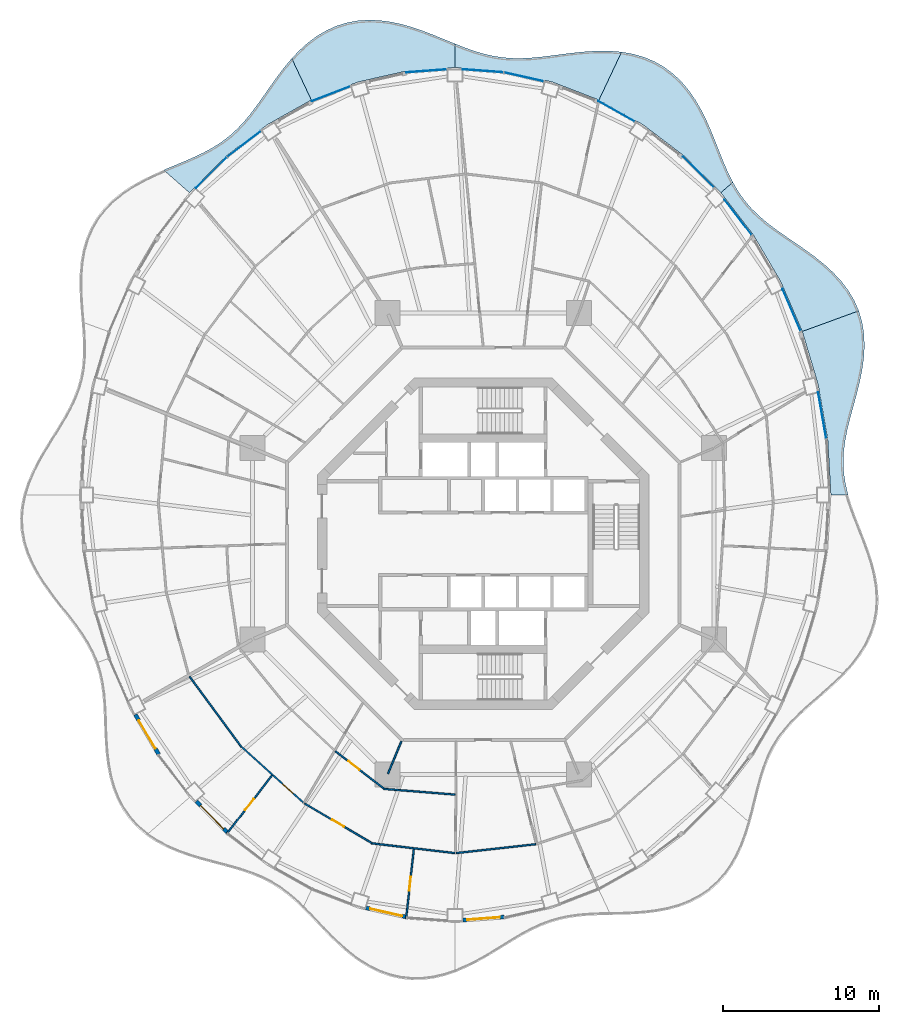
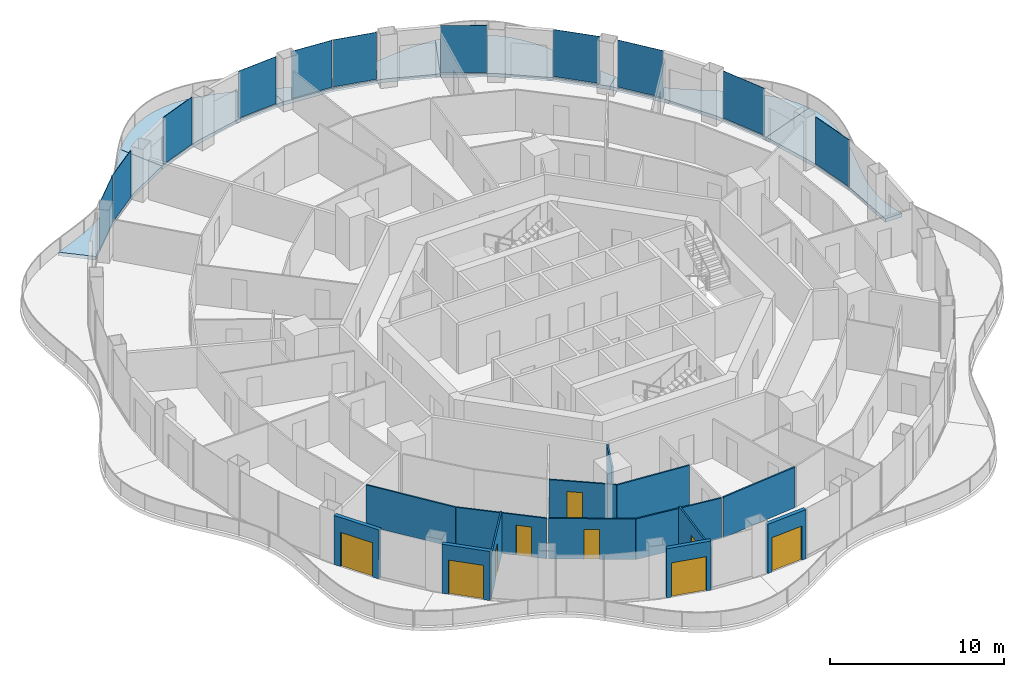
# One storey, part 9 of 18: 14 walls, 11 plates, 9 doors, 6 slabs, 9 openings, 11 elements without a shape of their own.
"""IFC4 building model written with IfcOpenShell, lengths in metres."""

from ifc_helpers import new_model, si_unit, direction, frame, frame_2d, origin, origin_2d, place, context, subcontext, project, spatial, polyline, rectangle, outline, extrude, material, layer, layer_set, type_object, element, fill, aggregate, save


model = new_model("IFC4")

# Units and contexts
model_context = context("Model", 3, precision=1e-05, world=origin(), true_north=direction((0.0, 1.0)))
body_context = subcontext(model_context, "Body", "Model", "MODEL_VIEW")
ifc_project = project(units=[si_unit("LENGTHUNIT", "METRE"), si_unit("AREAUNIT", "SQUARE_METRE"), si_unit("VOLUMEUNIT", "CUBIC_METRE"), si_unit("PLANEANGLEUNIT", "RADIAN"), si_unit("MASSUNIT", "GRAM", prefix="KILO")], contexts=[model_context])

# Site, building, storey
site_placement = place(None, origin())
site = spatial("IfcSite", under=ifc_project, at=site_placement, CompositionType="ELEMENT")
building_placement = place(site_placement, origin())
building = spatial("IfcBuilding", under=site, at=building_placement, Name="Nagisa Residences", CompositionType="ELEMENT")
storey_placement = place(building_placement, frame((0.0, 0.0, 227.0)))
storey = spatial("IfcBuildingStorey", under=building, at=storey_placement, Name="L57", CompositionType="ELEMENT", Elevation=227.0)

# Slabs
ifc_material_1 = material(Name="Concrete C40/50", Category="concrete")
ifc_layer_1 = layer(ifc_material_1, 0.25)
ifc_layer_set_1 = layer_set([ifc_layer_1], Name="BALCONY SLAB 250")
slab_type = type_object("IfcSlabType", Name="BALCONY SLAB 250", PredefinedType="FLOOR", material=ifc_layer_set_1)
slab_1_placement = place(storey_placement, frame((0.0, 0.0, -0.25)))
element("IfcSlab", 1, at=slab_1_placement, inside=storey, type_object=slab_type, Name="slab:L57:bal00", PredefinedType="FLOOR", context=body_context, shape_type="SweptSolid", body=[
    extrude(outline(polyline([(23.37646484375, 3.11767578125), (23.208740234375, 3.806396484375), (23.1025390625, 4.490966796875), (23.062255859375, 5.1767578125), (23.088134765625, 5.868408203125), (23.17529296875, 6.5703125), (23.314697265625, 7.2861328125), (23.493408203125, 8.01806640625), (23.696044921875, 8.7666015625), (23.904052734375, 9.53125), (24.098876953125, 10.30859375), (24.261474609375, 11.094482421875), (24.373779296875, 11.883056640625), (24.420166015625, 12.6669921875), (24.3876953125, 13.43896484375), (24.267822265625, 14.191162109375), (24.0556640625, 14.916259765625), (20.437744140625, 13.599365234375), (21.449951171875, 10.206787109375), (22.06396484375, 6.69287109375), (22.27001953125, 3.11767578125), (23.37646484375, 3.11767578125)])), origin(), (0.0, 0.0, 1.0), 0.25),
])
slab_2_placement = place(storey_placement, frame((0.0, 0.0, -0.25)))
element("IfcSlab", 2, at=slab_2_placement, inside=storey, type_object=slab_type, Name="slab:L57:bal01", PredefinedType="FLOOR", context=body_context, shape_type="SweptSolid", body=[
    extrude(outline(polyline([(24.0556640625, 14.916259765625), (23.76123046875, 15.58740234375), (23.383544921875, 16.22314453125), (22.929931640625, 16.820556640625), (22.41064453125, 17.379638671875), (21.838623046875, 17.9013671875), (21.229248046875, 18.3896484375), (20.597900390625, 18.85009765625), (19.9609375, 19.2900390625), (19.333251953125, 19.718505859375), (18.728759765625, 20.14501953125), (18.158203125, 20.57958984375), (17.6298828125, 21.031494140625), (17.14892578125, 21.509521484375), (16.716796875, 22.020751953125), (16.3310546875, 22.56982421875), (15.98681640625, 23.1591796875), (15.219970703125, 22.4853515625), (17.2958984375, 19.791748046875), (19.045166015625, 16.812744140625), (20.437744140625, 13.599365234375), (24.0556640625, 14.916259765625)])), origin(), (0.0, 0.0, 1.0), 0.25),
])
slab_3_placement = place(storey_placement, frame((0.0, 0.0, -0.25)))
element("IfcSlab", 3, at=slab_3_placement, inside=storey, type_object=slab_type, Name="slab:L57:bal02", PredefinedType="FLOOR", context=body_context, shape_type="SweptSolid", body=[
    extrude(outline(polyline([(15.98681640625, 23.1591796875), (15.689453125, 23.7578125), (15.4130859375, 24.3896484375), (15.147216796875, 25.049072265625), (14.88037109375, 25.728515625), (14.601318359375, 26.418212890625), (14.29931640625, 27.10693359375), (13.964599609375, 27.7822265625), (13.588623046875, 28.431396484375), (13.165771484375, 29.0419921875), (12.692138671875, 29.602294921875), (12.166015625, 30.10205078125), (11.588623046875, 30.533203125), (10.96337890625, 30.889892578125), (10.295654296875, 31.16943359375), (9.5927734375, 31.3720703125), (8.8623046875, 31.50146484375), (7.4111328125, 28.4228515625), (10.235107421875, 26.838134765625), (12.852783203125, 24.84765625), (15.219970703125, 22.4853515625), (15.98681640625, 23.1591796875)])), origin(), (0.0, 0.0, 1.0), 0.25),
])
slab_4_placement = place(storey_placement, frame((0.0, 0.0, -0.25)))
element("IfcSlab", 4, at=slab_4_placement, inside=storey, type_object=slab_type, Name="slab:L57:bal03", PredefinedType="FLOOR", context=body_context, shape_type="SweptSolid", body=[
    extrude(outline(polyline([(8.8623046875, 31.50146484375), (8.140869140625, 31.562744140625), (7.410400390625, 31.5703125), (6.67822265625, 31.534423828125), (5.951171875, 31.466552734375), (5.23486328125, 31.3798828125), (4.53369140625, 31.287353515625), (3.85009765625, 31.201904296875), (3.184814453125, 31.135498046875), (2.537109375, 31.098388671875), (1.905029296875, 31.09912109375), (1.284912109375, 31.1435546875), (0.67236328125, 31.234375), (0.0625, 31.371826171875), (-0.5498046875, 31.552734375), (-1.169189453125, 31.771484375), (-1.800048828125, 32.018798828125), (-1.800048828125, 30.5078125), (1.341796875, 30.2734375), (4.4296875, 29.574462890625), (7.4111328125, 28.4228515625), (8.8623046875, 31.50146484375)])), origin(), (0.0, 0.0, 1.0), 0.25),
])
slab_5_placement = place(storey_placement, frame((0.0, 0.0, -0.25)))
element("IfcSlab", 5, at=slab_5_placement, inside=storey, type_object=slab_type, Name="slab:L57:bal04", PredefinedType="FLOOR", context=body_context, shape_type="SweptSolid", body=[
    extrude(outline(polyline([(-1.800048828125, 32.018798828125), (-2.4453125, 32.28466796875), (-3.106689453125, 32.555908203125), (-3.784912109375, 32.819580078125), (-4.478515625, 33.06103515625), (-5.184814453125, 33.266845703125), (-5.89990234375, 33.42431640625), (-6.618408203125, 33.521728515625), (-7.33447265625, 33.550048828125), (-8.041015625, 33.5029296875), (-8.731689453125, 33.375732421875), (-9.400390625, 33.168212890625), (-10.041259765625, 32.882080078125), (-10.650390625, 32.5224609375), (-11.224853515625, 32.096435546875), (-11.763427734375, 31.6142578125), (-12.266845703125, 31.0869140625), (-11.01123046875, 28.4228515625), (-8.02978515625, 29.574462890625), (-4.941650390625, 30.2734375), (-1.800048828125, 30.5078125), (-1.800048828125, 32.018798828125)])), origin(), (0.0, 0.0, 1.0), 0.25),
])
slab_6_placement = place(storey_placement, frame((0.0, 0.0, -0.25)))
element("IfcSlab", 6, at=slab_6_placement, inside=storey, type_object=slab_type, Name="slab:L57:bal05", PredefinedType="FLOOR", context=body_context, shape_type="SweptSolid", body=[
    extrude(outline(polyline([(-12.266845703125, 31.0869140625), (-12.7548828125, 30.50537109375), (-13.212646484375, 29.9033203125), (-13.646728515625, 29.294921875), (-14.065185546875, 28.69384765625), (-14.47705078125, 28.112060546875), (-14.8916015625, 27.559326171875), (-15.318115234375, 27.04345703125), (-15.76513671875, 26.56884765625), (-16.239501953125, 26.13720703125), (-16.746826171875, 25.74755859375), (-17.289794921875, 25.396240234375), (-17.869384765625, 25.076904296875), (-18.483642578125, 24.781494140625), (-19.127685546875, 24.50048828125), (-19.794677734375, 24.2236328125), (-20.475341796875, 23.93994140625), (-18.820068359375, 22.4853515625), (-16.452880859375, 24.84765625), (-13.8349609375, 26.838134765625), (-11.01123046875, 28.4228515625), (-12.266845703125, 31.0869140625)])), origin(), (0.0, 0.0, 1.0), 0.25),
])

# Curtain wall, plate
ifc_material_2 = material(Name="Concrete-coloured aluminium curtain wall system", Category="concrete")
ifc_layer_2 = layer(ifc_material_2, 0.159912109375)
ifc_layer_set_2 = layer_set([ifc_layer_2], Name="CW1 CURTAIN WALL")
curtain_wall_type = type_object("IfcCurtainWallType", Name="CW1 CURTAIN WALL", PredefinedType="NOTDEFINED", material=ifc_layer_set_2)
curtain_wall_1_placement = place(storey_placement, origin())
curtain_wall_1 = element("IfcCurtainWall", 7, at=curtain_wall_1_placement, inside=storey, type_object=curtain_wall_type, Name="cw:CW1:L57:01", PredefinedType="NOTDEFINED")
ifc_material_3 = material(Name="Clear laminated glass", Category="glass")
ifc_layer_3 = layer(ifc_material_3, 0.028076171875)
ifc_layer_set_3 = layer_set([ifc_layer_3], Name="CW1 GLASS PANEL")
plate_type = type_object("IfcPlateType", Name="CW1 GLASS PANEL", PredefinedType="CURTAIN_PANEL", material=ifc_layer_set_3)
plate_1_placement = place(storey_placement, frame((21.716064453125, 8.21923828125, 0.14990234375), z_axis=(0.0, 0.0, 1.0), x_axis=(-0.172190868898, 0.985063604377, 0.0)))
plate_1 = element("IfcPlate", 8, at=plate_1_placement, type_object=plate_type, Name="CW1 panel", PredefinedType="CURTAIN_PANEL", context=body_context, shape_type="SweptSolid", body=[
    extrude(rectangle(XDim=3.00732421875, YDim=0.028076171875, at=origin_2d()), origin(), (0.0, 0.0, 1.0), 3.2900390625),
])
aggregate(curtain_wall_1, [plate_1])

curtain_wall_2_placement = place(storey_placement, origin())
curtain_wall_2 = element("IfcCurtainWall", 9, at=curtain_wall_2_placement, inside=storey, type_object=curtain_wall_type, Name="cw:CW1:L57:03", PredefinedType="NOTDEFINED")
plate_2_placement = place(storey_placement, frame((19.755615234375, 14.972412109375, 0.14990234375), z_axis=(0.0, 0.0, 1.0), x_axis=(-0.397635934147, 0.917543276295, 0.0)))
plate_2 = element("IfcPlate", 10, at=plate_2_placement, type_object=plate_type, Name="CW1 panel", PredefinedType="CURTAIN_PANEL", context=body_context, shape_type="SweptSolid", body=[
    extrude(rectangle(XDim=2.942138671875, YDim=0.028076171875, at=origin_2d()), origin(), (0.0, 0.0, 1.0), 3.2900390625),
])
aggregate(curtain_wall_2, [plate_2])

curtain_wall_3_placement = place(storey_placement, origin())
curtain_wall_3 = element("IfcCurtainWall", 11, at=curtain_wall_3_placement, inside=storey, type_object=curtain_wall_type, Name="cw:CW1:L57:05", PredefinedType="NOTDEFINED")
plate_3_placement = place(storey_placement, frame((16.328857421875, 20.91552734375, 0.14990234375), z_axis=(0.0, 0.0, 1.0), x_axis=(-0.610429828235, 0.792070340816, 0.0)))
plate_3 = element("IfcPlate", 12, at=plate_3_placement, type_object=plate_type, Name="CW1 panel", PredefinedType="CURTAIN_PANEL", context=body_context, shape_type="SweptSolid", body=[
    extrude(rectangle(XDim=2.8408203125, YDim=0.028076171875, at=origin_2d()), origin(), (0.0, 0.0, 1.0), 3.2900390625),
])
aggregate(curtain_wall_3, [plate_3])

curtain_wall_4_placement = place(storey_placement, origin())
curtain_wall_4 = element("IfcCurtainWall", 13, at=curtain_wall_4_placement, inside=storey, type_object=curtain_wall_type, Name="cw:CW1:L57:06", PredefinedType="NOTDEFINED")
plate_4_placement = place(storey_placement, frame((13.78173828125, 23.8076171875, 0.14990234375), z_axis=(0.0, 0.0, 1.0), x_axis=(-0.707835924016, 0.706376885714, 0.0)))
plate_4 = element("IfcPlate", 14, at=plate_4_placement, type_object=plate_type, Name="CW1 panel", PredefinedType="CURTAIN_PANEL", context=body_context, shape_type="SweptSolid", body=[
    extrude(rectangle(XDim=2.7841796875, YDim=0.028076171875, at=origin_2d()), origin(), (0.0, 0.0, 1.0), 3.2900390625),
])
aggregate(curtain_wall_4, [plate_4])

curtain_wall_5_placement = place(storey_placement, origin())
curtain_wall_5 = element("IfcCurtainWall", 15, at=curtain_wall_5_placement, inside=storey, type_object=curtain_wall_type, Name="cw:CW1:L57:08", PredefinedType="NOTDEFINED")
plate_5_placement = place(storey_placement, frame((8.539794921875, 27.69775390625, 0.14990234375), z_axis=(0.0, 0.0, 1.0), x_axis=(-0.872072377523, 0.489376918501, 0.0)))
plate_5 = element("IfcPlate", 16, at=plate_5_placement, type_object=plate_type, Name="CW1 panel", PredefinedType="CURTAIN_PANEL", context=body_context, shape_type="SweptSolid", body=[
    extrude(rectangle(XDim=2.677978515625, YDim=0.028076171875, at=origin_2d()), origin(), (0.0, 0.0, 1.0), 3.2900390625),
])
aggregate(curtain_wall_5, [plate_5])

curtain_wall_6_placement = place(storey_placement, origin())
curtain_wall_6 = element("IfcCurtainWall", 17, at=curtain_wall_6_placement, inside=storey, type_object=curtain_wall_type, Name="cw:CW1:L57:10", PredefinedType="NOTDEFINED")
plate_6_placement = place(storey_placement, frame((2.594970703125, 29.90771484375, 0.14990234375), z_axis=(0.0, 0.0, 1.0), x_axis=(-0.975327274089, 0.2207639201, 0.0)))
plate_6 = element("IfcPlate", 18, at=plate_6_placement, type_object=plate_type, Name="CW1 panel", PredefinedType="CURTAIN_PANEL", context=body_context, shape_type="SweptSolid", body=[
    extrude(rectangle(XDim=2.606201171875, YDim=0.028076171875, at=origin_2d()), origin(), (0.0, 0.0, 1.0), 3.2900390625),
])
aggregate(curtain_wall_6, [plate_6])

curtain_wall_7_placement = place(storey_placement, origin())
curtain_wall_7 = element("IfcCurtainWall", 19, at=curtain_wall_7_placement, inside=storey, type_object=curtain_wall_type, Name="cw:CW1:L57:11", PredefinedType="NOTDEFINED")
plate_7_placement = place(storey_placement, frame((-0.015625, 30.29443359375, 0.14990234375), z_axis=(0.0, 0.0, 1.0), x_axis=(-0.997230168512, 0.074377355493, 0.0)))
plate_7 = element("IfcPlate", 20, at=plate_7_placement, type_object=plate_type, Name="CW1 panel", PredefinedType="CURTAIN_PANEL", context=body_context, shape_type="SweptSolid", body=[
    extrude(rectangle(XDim=2.590576171875, YDim=0.028076171875, at=origin_2d()), origin(), (0.0, 0.0, 1.0), 3.2900390625),
])
aggregate(curtain_wall_7, [plate_7])

curtain_wall_8_placement = place(storey_placement, origin())
curtain_wall_8 = element("IfcCurtainWall", 21, at=curtain_wall_8_placement, inside=storey, type_object=curtain_wall_type, Name="cw:CW1:L57:12", PredefinedType="NOTDEFINED")
plate_8_placement = place(storey_placement, frame((-3.64404296875, 30.2900390625, 0.14990234375), z_axis=(0.0, 0.0, 1.0), x_axis=(-0.997230168512, -0.074377355493, 0.0)))
plate_8 = element("IfcPlate", 22, at=plate_8_placement, type_object=plate_type, Name="CW1 panel", PredefinedType="CURTAIN_PANEL", context=body_context, shape_type="SweptSolid", body=[
    extrude(rectangle(XDim=2.590576171875, YDim=0.028076171875, at=origin_2d()), origin(), (0.0, 0.0, 1.0), 3.2900390625),
])
aggregate(curtain_wall_8, [plate_8])

curtain_wall_9_placement = place(storey_placement, origin())
curtain_wall_9 = element("IfcCurtainWall", 23, at=curtain_wall_9_placement, inside=storey, type_object=curtain_wall_type, Name="cw:CW1:L57:14", PredefinedType="NOTDEFINED")
plate_9_placement = place(storey_placement, frame((-9.7529296875, 28.822998046875, 0.14990234375), z_axis=(0.0, 0.0, 1.0), x_axis=(-0.932825759707, -0.360327770268, 0.0)))
plate_9 = element("IfcPlate", 24, at=plate_9_placement, type_object=plate_type, Name="CW1 panel", PredefinedType="CURTAIN_PANEL", context=body_context, shape_type="SweptSolid", body=[
    extrude(rectangle(XDim=2.63623046875, YDim=0.028076171875, at=origin_2d()), origin(), (0.0, 0.0, 1.0), 3.2900390625),
])
aggregate(curtain_wall_9, [plate_9])

curtain_wall_10_placement = place(storey_placement, origin())
curtain_wall_10 = element("IfcCurtainWall", 25, at=curtain_wall_10_placement, inside=storey, type_object=curtain_wall_type, Name="cw:CW1:L57:16", PredefinedType="NOTDEFINED")
plate_10_placement = place(storey_placement, frame((-15.318359375, 25.609619140625, 0.14990234375), z_axis=(0.0, 0.0, 1.0), x_axis=(-0.79603132756, -0.605255421737, 0.0)))
plate_10 = element("IfcPlate", 26, at=plate_10_placement, type_object=plate_type, Name="CW1 panel", PredefinedType="CURTAIN_PANEL", context=body_context, shape_type="SweptSolid", body=[
    extrude(rectangle(XDim=2.728759765625, YDim=0.028076171875, at=origin_2d()), origin(), (0.0, 0.0, 1.0), 3.2900390625),
])
aggregate(curtain_wall_10, [plate_10])

curtain_wall_11_placement = place(storey_placement, origin())
curtain_wall_11 = element("IfcCurtainWall", 27, at=curtain_wall_11_placement, inside=storey, type_object=curtain_wall_type, Name="cw:CW1:L57:17", PredefinedType="NOTDEFINED")
plate_11_placement = place(storey_placement, frame((-17.42431640625, 23.765380859375, 0.14990234375), z_axis=(0.0, 0.0, 1.0), x_axis=(-0.707835924016, -0.706376885714, 0.0)))
plate_11 = element("IfcPlate", 28, at=plate_11_placement, type_object=plate_type, Name="CW1 panel", PredefinedType="CURTAIN_PANEL", context=body_context, shape_type="SweptSolid", body=[
    extrude(rectangle(XDim=2.7841796875, YDim=0.028076171875, at=origin_2d()), origin(), (0.0, 0.0, 1.0), 3.2900390625),
])
aggregate(curtain_wall_11, [plate_11])

# Wall
ifc_material_4 = material(Name="Gypsum board on steel studs", Category="steel")
ifc_layer_4 = layer(ifc_material_4, 0.10009765625)
ifc_layer_set_4 = layer_set([ifc_layer_4], Name="Apartment partition 100")
wall_type_1 = type_object("IfcWallType", Name="Apartment partition 100", PredefinedType="PARTITIONING", material=ifc_layer_set_4)
wall_1_placement = place(storey_placement, frame((-18.804443359375, -8.515625, 0.0), z_axis=(0.0, 0.0, 1.0), x_axis=(0.593249583583, -0.805018590828, 0.0)))
element("IfcWall", 29, at=wall_1_placement, inside=storey, type_object=wall_type_1, Name="wall:L57:u63", PredefinedType="PARTITIONING", context=body_context, shape_type="SweptSolid", body=[
    extrude(rectangle(XDim=5.601806640625, YDim=0.10009765625, at=frame_2d((2.80078125, 0.0))), origin(), (0.0, 0.0, 1.0), 2.8369140625),
])

# Wall, opening, door
wall_2_placement = place(storey_placement, frame((-15.4736328125, -13.0185546875, 0.0), z_axis=(0.0, 0.0, 1.0), x_axis=(0.742348572616, -0.670013878017, 0.0)))
wall_2 = element("IfcWall", 30, at=wall_2_placement, inside=storey, type_object=wall_type_1, Name="wall:L57:u65", PredefinedType="PARTITIONING", context=body_context, shape_type="SweptSolid", body=[
    extrude(rectangle(XDim=5.3193359375, YDim=0.10009765625, at=frame_2d((2.65966796875, 0.0))), origin(), (0.0, 0.0, 1.0), 2.8369140625),
])
opening_1_placement = place(wall_2_placement, frame((3.53955078125, 0.0, 0.0)))
opening_1 = element("IfcOpeningElement", 31, at=opening_1_placement, cuts=wall_2, Name="Opening L57-U25", PredefinedType="OPENING", context=body_context, shape_type="SweptSolid", body=[
    extrude(rectangle(XDim=0.89990234375, YDim=2.10009765625, at=frame_2d((0.449951171875, 1.050048828125))), frame((0.0, 0.06005859375, 0.0), z_axis=(0.0, -1.0, 0.0), x_axis=(1.0, 0.0, 0.0)), (0.0, 0.0, 1.0), 0.1201171875),
])
ifc_material_5 = material(Name="Timber door set", Category="wood")
door_type_1 = type_object("IfcDoorType", Name="Apartment door 900x2100", OperationType="NOTDEFINED", PredefinedType="DOOR", material=ifc_material_5)
door_1_placement = place(opening_1_placement, origin())
door_1 = element("IfcDoor", 32, at=door_1_placement, inside=storey, type_object=door_type_1, Name="Door to dining room, Apartment 57C", OperationType="SINGLE_SWING_LEFT", OverallHeight=2.10009765625, OverallWidth=0.89990234375, PredefinedType="DOOR", context=body_context, shape_type="SweptSolid", body=[
    extrude(rectangle(XDim=0.89990234375, YDim=2.10009765625, at=frame_2d((0.449951171875, 1.050048828125))), frame((0.0, 0.02490234375, 0.0), z_axis=(0.0, -1.0, 0.0), x_axis=(1.0, 0.0, 0.0)), (0.0, 0.0, 1.0), 0.050048828125),
])
fill(opening_1, door_1)

wall_3_placement = place(storey_placement, frame((-13.52978515625, -14.840087890625, 0.0), z_axis=(0.0, 0.0, 1.0), x_axis=(-0.612546685222, -0.790434411209, 0.0)))
wall_3 = element("IfcWall", 33, at=wall_3_placement, inside=storey, type_object=wall_type_1, Name="wall:L57:u66", PredefinedType="PARTITIONING", context=body_context, shape_type="SweptSolid", body=[
    extrude(rectangle(XDim=4.732177734375, YDim=0.10009765625, at=frame_2d((2.3662109375, 0.0))), origin(), (0.0, 0.0, 1.0), 2.98291015625),
])
opening_2_placement = place(wall_3_placement, frame((1.916015625, 0.0, 0.0)))
opening_2 = element("IfcOpeningElement", 34, at=opening_2_placement, cuts=wall_3, Name="Opening L57-U28", PredefinedType="OPENING", context=body_context, shape_type="SweptSolid", body=[
    extrude(rectangle(XDim=0.89990234375, YDim=2.10009765625, at=frame_2d((0.449951171875, 1.050048828125))), frame((0.0, 0.06005859375, 0.0), z_axis=(0.0, -1.0, 0.0), x_axis=(1.0, 0.0, 0.0)), (0.0, 0.0, 1.0), 0.1201171875),
])
door_2_placement = place(opening_2_placement, frame((0.89990234375, 0.0, 0.0), x_axis=(-1.0, 0.0, 0.0)))
door_2 = element("IfcDoor", 35, at=door_2_placement, inside=storey, type_object=door_type_1, Name="Door to master bedroom, Apartment 57C", OperationType="SINGLE_SWING_LEFT", OverallHeight=2.10009765625, OverallWidth=0.89990234375, PredefinedType="DOOR", context=body_context, shape_type="SweptSolid", body=[
    extrude(rectangle(XDim=0.89990234375, YDim=2.10009765625, at=frame_2d((0.449951171875, 1.050048828125))), frame((0.0, 0.02490234375, 0.0), z_axis=(0.0, -1.0, 0.0), x_axis=(1.0, 0.0, 0.0)), (0.0, 0.0, 1.0), 0.050048828125),
])
fill(opening_2, door_2)

wall_4_placement = place(storey_placement, frame((-9.471435546875, -13.289306640625, 0.0), z_axis=(0.0, 0.0, 1.0), x_axis=(0.7922205419, -0.61023488346, 0.0)))
wall_4 = element("IfcWall", 36, at=wall_4_placement, inside=storey, type_object=wall_type_1, Name="wall:L57:u68", PredefinedType="PARTITIONING", context=body_context, shape_type="SweptSolid", body=[
    extrude(rectangle(XDim=3.916015625, YDim=0.10009765625, at=frame_2d((1.9580078125, 0.0))), origin(), (0.0, 0.0, 1.0), 2.8369140625),
])
opening_3_placement = place(wall_4_placement, frame((1.044921875, 0.0, 0.0)))
opening_3 = element("IfcOpeningElement", 37, at=opening_3_placement, cuts=wall_4, Name="Opening L57-U24", PredefinedType="OPENING", context=body_context, shape_type="SweptSolid", body=[
    extrude(rectangle(XDim=0.89990234375, YDim=2.10009765625, at=frame_2d((0.449951171875, 1.050048828125))), frame((0.0, 0.06005859375, 0.0), z_axis=(0.0, -1.0, 0.0), x_axis=(1.0, 0.0, 0.0)), (0.0, 0.0, 1.0), 0.1201171875),
])
door_3_placement = place(opening_3_placement, origin())
door_3 = element("IfcDoor", 38, at=door_3_placement, inside=storey, type_object=door_type_1, Name="Door to laundry, Apartment 57C", OperationType="SINGLE_SWING_RIGHT", OverallHeight=2.10009765625, OverallWidth=0.89990234375, PredefinedType="DOOR", context=body_context, shape_type="SweptSolid", body=[
    extrude(rectangle(XDim=0.89990234375, YDim=2.10009765625, at=frame_2d((0.449951171875, 1.050048828125))), frame((0.0, 0.02490234375, 0.0), z_axis=(0.0, -1.0, 0.0), x_axis=(1.0, 0.0, 0.0)), (0.0, 0.0, 1.0), 0.050048828125),
])
fill(opening_3, door_3)

wall_5_placement = place(storey_placement, frame((-11.444580078125, -16.641357421875, 0.0), z_axis=(0.0, 0.0, 1.0), x_axis=(0.861562560957, -0.507651409489, 0.0)))
wall_5 = element("IfcWall", 39, at=wall_5_placement, inside=storey, type_object=wall_type_1, Name="wall:L57:u69", PredefinedType="PARTITIONING", context=body_context, shape_type="SweptSolid", body=[
    extrude(rectangle(XDim=4.98486328125, YDim=0.10009765625, at=frame_2d((2.492431640625, 0.0))), origin(), (0.0, 0.0, 1.0), 2.8369140625),
])
opening_4_placement = place(wall_5_placement, frame((2.04248046875, 0.0, 0.0)))
opening_4 = element("IfcOpeningElement", 40, at=opening_4_placement, cuts=wall_5, Name="Opening L57-U20", PredefinedType="OPENING", context=body_context, shape_type="SweptSolid", body=[
    extrude(rectangle(XDim=0.89990234375, YDim=2.10009765625, at=frame_2d((0.449951171875, 1.050048828125))), frame((0.0, 0.06005859375, 0.0), z_axis=(0.0, -1.0, 0.0), x_axis=(1.0, 0.0, 0.0)), (0.0, 0.0, 1.0), 0.1201171875),
])
door_4_placement = place(opening_4_placement, frame((0.89990234375, 0.0, 0.0), x_axis=(-1.0, 0.0, 0.0)))
door_4 = element("IfcDoor", 41, at=door_4_placement, inside=storey, type_object=door_type_1, Name="Door to living room, Apartment 57C", OperationType="SINGLE_SWING_LEFT", OverallHeight=2.10009765625, OverallWidth=0.89990234375, PredefinedType="DOOR", context=body_context, shape_type="SweptSolid", body=[
    extrude(rectangle(XDim=0.89990234375, YDim=2.10009765625, at=frame_2d((0.449951171875, 1.050048828125))), frame((0.0, 0.02490234375, 0.0), z_axis=(0.0, -1.0, 0.0), x_axis=(1.0, 0.0, 0.0)), (0.0, 0.0, 1.0), 0.050048828125),
])
fill(opening_4, door_4)

# Walls
wall_6_placement = place(storey_placement, frame((-5.24267578125, -12.6572265625, 0.0), z_axis=(0.0, 0.0, 1.0), x_axis=(-0.382719158442, -0.923864733477, 0.0)))
element("IfcWall", 42, at=wall_6_placement, inside=storey, type_object=wall_type_1, Name="wall:L57:u70", PredefinedType="PARTITIONING", context=body_context, shape_type="SweptSolid", body=[
    extrude(rectangle(XDim=2.25, YDim=0.10009765625, at=frame_2d((1.125, 0.0))), origin(), (0.0, 0.0, 1.0), 3.43994140625),
])
wall_7_placement = place(storey_placement, frame((-6.37939453125, -15.705322265625, 0.0), z_axis=(0.0, 0.0, 1.0), x_axis=(0.996786462227, -0.080104611105, 0.0)))
element("IfcWall", 43, at=wall_7_placement, inside=storey, type_object=wall_type_1, Name="wall:L57:u71", PredefinedType="PARTITIONING", context=body_context, shape_type="SweptSolid", body=[
    extrude(rectangle(XDim=4.58984375, YDim=0.10009765625, at=frame_2d((2.294921875, 0.0))), origin(), (0.0, 0.0, 1.0), 2.8369140625),
])
wall_8_placement = place(storey_placement, frame((-7.156494140625, -19.19140625, 0.0), z_axis=(0.0, 0.0, 1.0), x_axis=(0.993172627718, -0.116653896424, 0.0)))
element("IfcWall", 44, at=wall_8_placement, inside=storey, type_object=wall_type_1, Name="wall:L57:u72", PredefinedType="PARTITIONING", context=body_context, shape_type="SweptSolid", body=[
    extrude(rectangle(XDim=5.3681640625, YDim=0.10009765625, at=frame_2d((2.68408203125, 0.0))), origin(), (0.0, 0.0, 1.0), 2.8369140625),
])

# Wall, opening, door
wall_9_placement = place(storey_placement, frame((-4.446533203125, -19.56005859375, 0.0), z_axis=(0.0, 0.0, 1.0), x_axis=(-0.109897425445, -0.993942933915, 0.0)))
wall_9 = element("IfcWall", 45, at=wall_9_placement, inside=storey, type_object=wall_type_1, Name="wall:L57:u73", PredefinedType="PARTITIONING", context=body_context, shape_type="SweptSolid", body=[
    extrude(rectangle(XDim=4.46533203125, YDim=0.10009765625, at=frame_2d((2.232666015625, 0.0))), origin(), (0.0, 0.0, 1.0), 2.98291015625),
])
opening_5_placement = place(wall_9_placement, frame((1.78271484375, 0.0, 0.0)))
opening_5 = element("IfcOpeningElement", 46, at=opening_5_placement, cuts=wall_9, Name="Opening L57-U21", PredefinedType="OPENING", context=body_context, shape_type="SweptSolid", body=[
    extrude(rectangle(XDim=0.89990234375, YDim=2.10009765625, at=frame_2d((0.449951171875, 1.050048828125))), frame((0.0, 0.06005859375, 0.0), z_axis=(0.0, -1.0, 0.0), x_axis=(1.0, 0.0, 0.0)), (0.0, 0.0, 1.0), 0.1201171875),
])
door_5_placement = place(opening_5_placement, origin())
door_5 = element("IfcDoor", 47, at=door_5_placement, inside=storey, type_object=door_type_1, Name="Door to family room, Apartment 57C", OperationType="SINGLE_SWING_LEFT", OverallHeight=2.10009765625, OverallWidth=0.89990234375, PredefinedType="DOOR", context=body_context, shape_type="SweptSolid", body=[
    extrude(rectangle(XDim=0.89990234375, YDim=2.10009765625, at=frame_2d((0.449951171875, 1.050048828125))), frame((0.0, 0.02490234375, 0.0), z_axis=(0.0, -1.0, 0.0), x_axis=(1.0, 0.0, 0.0)), (0.0, 0.0, 1.0), 0.050048828125),
])
fill(opening_5, door_5)

# Wall
wall_10_placement = place(storey_placement, frame((-1.7255859375, -19.81787109375, 0.0), z_axis=(0.0, 0.0, 1.0), x_axis=(0.99381893047, 0.111013212902, 0.0)))
element("IfcWall", 48, at=wall_10_placement, inside=storey, type_object=wall_type_1, Name="wall:L57:u75", PredefinedType="PARTITIONING", context=body_context, shape_type="SweptSolid", body=[
    extrude(rectangle(XDim=5.113037109375, YDim=0.10009765625, at=frame_2d((2.556640625, 0.0))), origin(), (0.0, 0.0, 1.0), 2.8369140625),
])

# Wall, opening, door
ifc_material_6 = material(Name="Precast concrete C40/50", Category="concrete")
ifc_layer_5 = layer(ifc_material_6, 0.25)
ifc_layer_set_5 = layer_set([ifc_layer_5], Name="BALCONY DOOR WALL 250")
wall_type_2 = type_object("IfcWallType", Name="BALCONY DOOR WALL 250", PredefinedType="SOLIDWALL", material=ifc_layer_set_5)
wall_11_placement = place(storey_placement, frame((-20.788330078125, -13.492919921875, 0.0), z_axis=(0.0, 0.0, 1.0), x_axis=(-0.506294090973, 0.862360883532, 0.0)))
wall_11 = element("IfcWall", 49, at=wall_11_placement, inside=storey, type_object=wall_type_2, Name="wall:L57:bay28", PredefinedType="SOLIDWALL", context=body_context, shape_type="SweptSolid", body=[
    extrude(rectangle(XDim=2.95458984375, YDim=0.25, at=frame_2d((1.477294921875, 0.0))), origin(), (0.0, 0.0, 1.0), 3.43994140625),
])
opening_6_placement = place(wall_11_placement, frame((0.42724609375, 0.0, 0.0)))
opening_6 = element("IfcOpeningElement", 50, at=opening_6_placement, cuts=wall_11, Name="Opening BD-L57-10", PredefinedType="OPENING", context=body_context, shape_type="SweptSolid", body=[
    extrude(rectangle(XDim=2.10009765625, YDim=2.39990234375, at=frame_2d((1.050048828125, 1.199951171875))), frame((0.0, 0.135009765625, 0.0), z_axis=(0.0, -1.0, 0.0), x_axis=(1.0, 0.0, 0.0)), (0.0, 0.0, 1.0), 0.27001953125),
])
ifc_material_7 = material(Name="Aluminium and clear glass", Category="aluminium")
door_type_2 = type_object("IfcDoorType", Name="BALCONY SLIDING DOOR 2100x2400", OperationType="SLIDING_TO_LEFT", PredefinedType="DOOR", material=ifc_material_7)
door_6_placement = place(opening_6_placement, origin())
door_6 = element("IfcDoor", 51, at=door_6_placement, inside=storey, type_object=door_type_2, Name="door:L57:bay28", OperationType="SLIDING_TO_LEFT", OverallHeight=2.39990234375, OverallWidth=2.10009765625, PredefinedType="DOOR", context=body_context, shape_type="SweptSolid", body=[
    extrude(rectangle(XDim=2.10009765625, YDim=2.39990234375, at=frame_2d((1.050048828125, 1.199951171875))), frame((0.0, 0.02490234375, 0.0), z_axis=(0.0, -1.0, 0.0), x_axis=(1.0, 0.0, 0.0)), (0.0, 0.0, 1.0), 0.050048828125),
])
fill(opening_6, door_6)

wall_12_placement = place(storey_placement, frame((-16.364501953125, -18.523681640625, 0.0), z_axis=(0.0, 0.0, 1.0), x_axis=(-0.707878871612, 0.706333846793, 0.0)))
wall_12 = element("IfcWall", 52, at=wall_12_placement, inside=storey, type_object=wall_type_2, Name="wall:L57:bay30", PredefinedType="SOLIDWALL", context=body_context, shape_type="SweptSolid", body=[
    extrude(rectangle(XDim=2.84423828125, YDim=0.25, at=frame_2d((1.422119140625, 0.0))), origin(), (0.0, 0.0, 1.0), 3.43994140625),
])
opening_7_placement = place(wall_12_placement, frame((0.3720703125, 0.0, 0.0)))
opening_7 = element("IfcOpeningElement", 53, at=opening_7_placement, cuts=wall_12, Name="Opening BD-L57-11", PredefinedType="OPENING", context=body_context, shape_type="SweptSolid", body=[
    extrude(rectangle(XDim=2.10009765625, YDim=2.39990234375, at=frame_2d((1.050048828125, 1.199951171875))), frame((0.0, 0.135009765625, 0.0), z_axis=(0.0, -1.0, 0.0), x_axis=(1.0, 0.0, 0.0)), (0.0, 0.0, 1.0), 0.27001953125),
])
door_7_placement = place(opening_7_placement, origin())
door_7 = element("IfcDoor", 54, at=door_7_placement, inside=storey, type_object=door_type_2, Name="door:L57:bay30", OperationType="SLIDING_TO_LEFT", OverallHeight=2.39990234375, OverallWidth=2.10009765625, PredefinedType="DOOR", context=body_context, shape_type="SweptSolid", body=[
    extrude(rectangle(XDim=2.10009765625, YDim=2.39990234375, at=frame_2d((1.050048828125, 1.199951171875))), frame((0.0, 0.02490234375, 0.0), z_axis=(0.0, -1.0, 0.0), x_axis=(1.0, 0.0, 0.0)), (0.0, 0.0, 1.0), 0.050048828125),
])
fill(opening_7, door_7)

wall_13_placement = place(storey_placement, frame((-4.9140625, -23.916015625, 0.0), z_axis=(0.0, 0.0, 1.0), x_axis=(-0.975324089124, 0.220777990694, 0.0)))
wall_13 = element("IfcWall", 55, at=wall_13_placement, inside=storey, type_object=wall_type_2, Name="wall:L57:bay34", PredefinedType="SOLIDWALL", context=body_context, shape_type="SweptSolid", body=[
    extrude(rectangle(XDim=2.666015625, YDim=0.25, at=frame_2d((1.3330078125, 0.0))), origin(), (0.0, 0.0, 1.0), 3.43994140625),
])
opening_8_placement = place(wall_13_placement, frame((0.282958984375, 0.0, 0.0)))
opening_8 = element("IfcOpeningElement", 56, at=opening_8_placement, cuts=wall_13, Name="Opening BD-L57-12", PredefinedType="OPENING", context=body_context, shape_type="SweptSolid", body=[
    extrude(rectangle(XDim=2.10009765625, YDim=2.39990234375, at=frame_2d((1.050048828125, 1.199951171875))), frame((0.0, 0.135009765625, 0.0), z_axis=(0.0, -1.0, 0.0), x_axis=(1.0, 0.0, 0.0)), (0.0, 0.0, 1.0), 0.27001953125),
])
door_8_placement = place(opening_8_placement, origin())
door_8 = element("IfcDoor", 57, at=door_8_placement, inside=storey, type_object=door_type_2, Name="door:L57:bay34", OperationType="SLIDING_TO_LEFT", OverallHeight=2.39990234375, OverallWidth=2.10009765625, PredefinedType="DOOR", context=body_context, shape_type="SweptSolid", body=[
    extrude(rectangle(XDim=2.10009765625, YDim=2.39990234375, at=frame_2d((1.050048828125, 1.199951171875))), frame((0.0, 0.02490234375, 0.0), z_axis=(0.0, -1.0, 0.0), x_axis=(1.0, 0.0, 0.0)), (0.0, 0.0, 1.0), 0.050048828125),
])
fill(opening_8, door_8)

wall_14_placement = place(storey_placement, frame((1.33251953125, -23.913330078125, 0.0), z_axis=(0.0, 0.0, 1.0), x_axis=(-0.997233722033, -0.074329695546, 0.0)))
wall_14 = element("IfcWall", 58, at=wall_14_placement, inside=storey, type_object=wall_type_2, Name="wall:L57:bay36", PredefinedType="SOLIDWALL", context=body_context, shape_type="SweptSolid", body=[
    extrude(rectangle(XDim=2.650634765625, YDim=0.25, at=frame_2d((1.3251953125, 0.0))), origin(), (0.0, 0.0, 1.0), 3.43994140625),
])
opening_9_placement = place(wall_14_placement, frame((0.275146484375, 0.0, 0.0)))
opening_9 = element("IfcOpeningElement", 59, at=opening_9_placement, cuts=wall_14, Name="Opening BD-L57-13", PredefinedType="OPENING", context=body_context, shape_type="SweptSolid", body=[
    extrude(rectangle(XDim=2.10009765625, YDim=2.39990234375, at=frame_2d((1.050048828125, 1.199951171875))), frame((0.0, 0.135009765625, 0.0), z_axis=(0.0, -1.0, 0.0), x_axis=(1.0, 0.0, 0.0)), (0.0, 0.0, 1.0), 0.27001953125),
])
door_9_placement = place(opening_9_placement, origin())
door_9 = element("IfcDoor", 60, at=door_9_placement, inside=storey, type_object=door_type_2, Name="door:L57:bay36", OperationType="SLIDING_TO_LEFT", OverallHeight=2.39990234375, OverallWidth=2.10009765625, PredefinedType="DOOR", context=body_context, shape_type="SweptSolid", body=[
    extrude(rectangle(XDim=2.10009765625, YDim=2.39990234375, at=frame_2d((1.050048828125, 1.199951171875))), frame((0.0, 0.02490234375, 0.0), z_axis=(0.0, -1.0, 0.0), x_axis=(1.0, 0.0, 0.0)), (0.0, 0.0, 1.0), 0.050048828125),
])
fill(opening_9, door_9)

save(model, "model.ifc")
